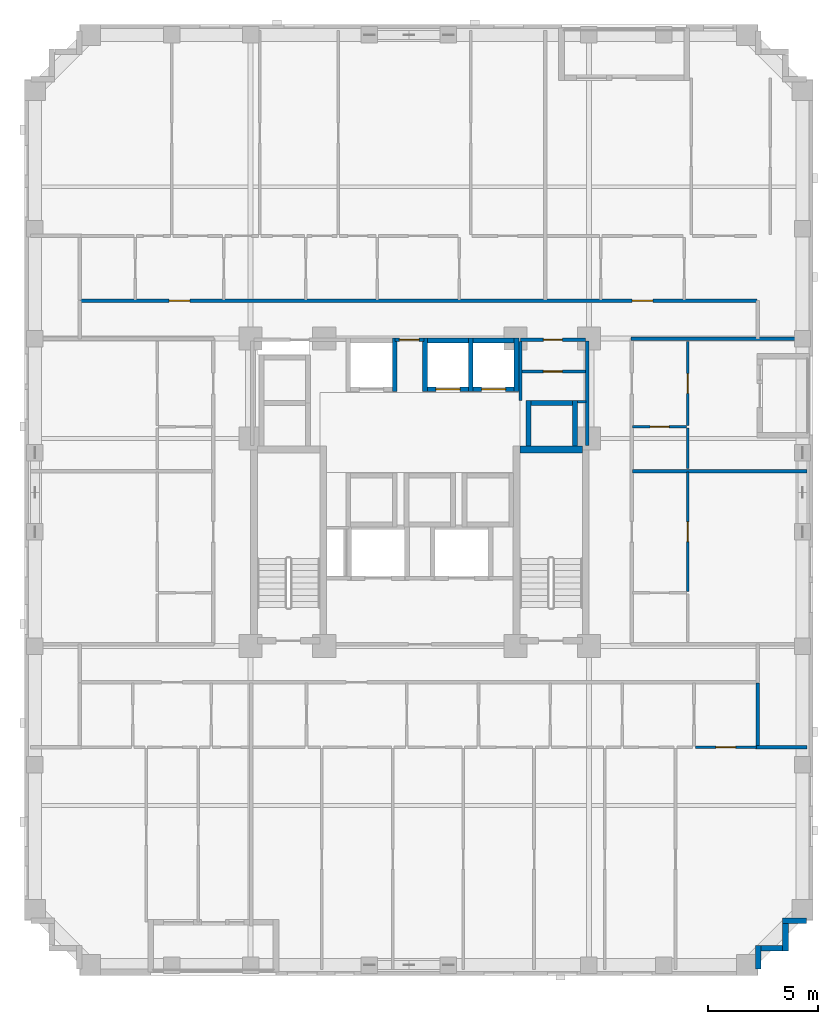
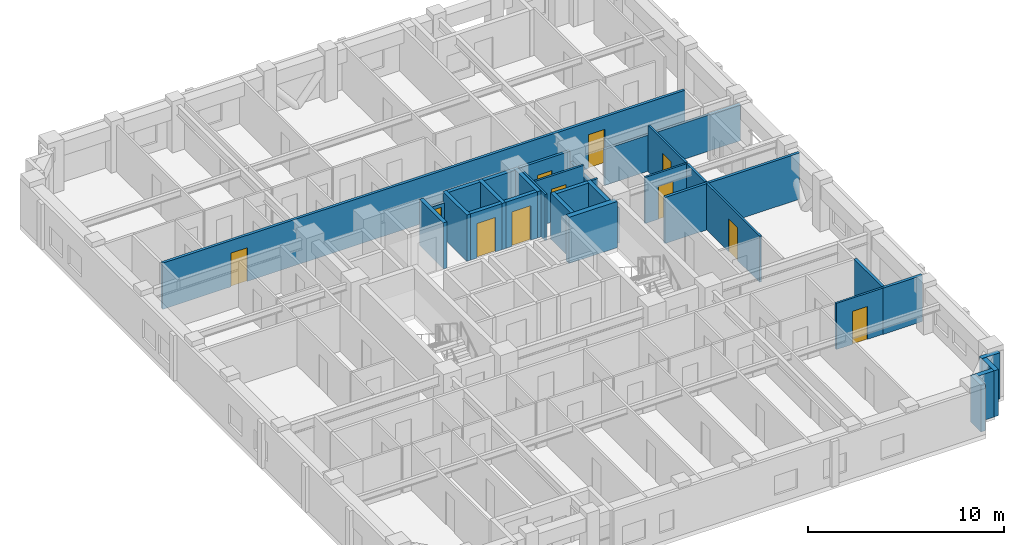
# One storey, part 6 of 12: 32 walls, 11 doors, 11 openings.
"""IFC4 building model written with IfcOpenShell, lengths in metres."""

from ifc_helpers import new_model, si_unit, derived_unit, direction, frame, frame_2d, origin, place, context, subcontext, project, spatial, rectangle, extrude, material, layer, layer_set, type_object, element, fill, save


model = new_model("IFC4")

# Units and contexts
model_context = context("Model", 3, precision=1e-05, world=origin(), true_north=direction((0.0, 1.0)))
body_context = subcontext(model_context, "Body", "Model", "MODEL_VIEW")
ifc_project = project(units=[si_unit("LENGTHUNIT", "METRE"), si_unit("AREAUNIT", "SQUARE_METRE"), si_unit("VOLUMEUNIT", "CUBIC_METRE"), si_unit("PLANEANGLEUNIT", "RADIAN"), si_unit("MASSUNIT", "GRAM", prefix="KILO"), derived_unit("THERMALTRANSMITTANCEUNIT", [(si_unit("MASSUNIT", "GRAM", prefix="KILO"), 1), (si_unit("TIMEUNIT", "SECOND"), -3), (si_unit("THERMODYNAMICTEMPERATUREUNIT", "KELVIN"), -1)])], contexts=[model_context])

# Site, building, storey
site_placement = place(None, origin())
site = spatial("IfcSite", under=ifc_project, at=site_placement, CompositionType="ELEMENT")
building_placement = place(site_placement, origin())
building = spatial("IfcBuilding", under=site, at=building_placement, Name="Korrvale Station Residences", CompositionType="ELEMENT")
storey_placement = place(building_placement, frame((0.0, 0.0, 116.699951171875)))
storey = spatial("IfcBuildingStorey", under=building, at=storey_placement, Name="L33", CompositionType="ELEMENT", Elevation=116.699951171875)

# Walls
ifc_material_1 = material(Name="Concrete C60/75", Category="concrete")
ifc_layer_1 = layer(ifc_material_1, 0.300048828125, Name="Concrete C60/75")
ifc_layer_set_1 = layer_set([ifc_layer_1], Name="Concrete C60/75")
wall_type_1 = type_object("IfcWallType", Name="WAL-CORE-300-C60", PredefinedType="SHEAR", material=ifc_layer_set_1)
wall_1_placement = place(storey_placement, frame((30.050048828125, 23.949951171875, 0.0), z_axis=(0.0, 0.0, 1.0), x_axis=(1.0, 0.0, 0.0)))
element("IfcWall", 1, at=wall_1_placement, inside=storey, type_object=wall_type_1, Name="L33 ST-2 Core Shear Wall North", PredefinedType="SHEAR", context=body_context, shape_type="SweptSolid", body=[
    extrude(rectangle(XDim=2.849853515625, YDim=0.300048828125, at=frame_2d((1.4248046875, 0.0))), origin(), (0.0, 0.0, 1.0), 2.880126953125),
])
ifc_material_2 = material(Name="Precast concrete C45/55", Category="concrete")
ifc_layer_2 = layer(ifc_material_2, 0.260009765625, Name="Precast concrete C45/55")
ifc_layer_set_2 = layer_set([ifc_layer_2], Name="Precast concrete C45/55")
wall_type_2 = type_object("IfcWallType", Name="WAL-EXT-LOG260", PredefinedType="SOLIDWALL", material=ifc_layer_set_2)
wall_2_placement = place(storey_placement, frame((43.097900390625, 2.5, 0.0), z_axis=(0.0, 0.0, 1.0), x_axis=(-1.0, 0.0, 0.0)))
element("IfcWall", 2, at=wall_2_placement, inside=storey, type_object=wall_type_2, Name="L33 Serrated Corner Precast Step SE-1", PredefinedType="SOLIDWALL", context=body_context, shape_type="SweptSolid", body=[
    extrude(rectangle(XDim=1.077880859375, YDim=0.260009765625, at=frame_2d((0.5390625, 0.0))), origin(), (0.0, 0.0, 1.0), 2.880126953125),
])
wall_3_placement = place(storey_placement, frame((42.14990234375, 2.367919921875, 0.0), z_axis=(0.0, 0.0, 1.0), x_axis=(0.0, -1.0, 0.0)))
element("IfcWall", 3, at=wall_3_placement, inside=storey, type_object=wall_type_2, Name="L33 Serrated Corner Precast Step SE-2", PredefinedType="SOLIDWALL", context=body_context, shape_type="SweptSolid", body=[
    extrude(rectangle(XDim=1.247802734375, YDim=0.260009765625, at=frame_2d((0.6240234375, 0.0))), origin(), (0.0, 0.0, 1.0), 2.880126953125),
])
wall_4_placement = place(storey_placement, frame((42.01806640625, 1.25, 0.0), z_axis=(0.0, 0.0, 1.0), x_axis=(-1.0, 0.0, 0.0)))
element("IfcWall", 4, at=wall_4_placement, inside=storey, type_object=wall_type_2, Name="L33 Serrated Corner Precast Step SE-3", PredefinedType="SOLIDWALL", context=body_context, shape_type="SweptSolid", body=[
    extrude(rectangle(XDim=0.986083984375, YDim=0.260009765625, at=frame_2d((0.4931640625, 0.0))), origin(), (0.0, 0.0, 1.0), 2.880126953125),
])
wall_5_placement = place(storey_placement, frame((40.89990234375, 1.3798828125, 0.0), z_axis=(0.0, 0.0, 1.0), x_axis=(0.0, -1.0, 0.0)))
element("IfcWall", 5, at=wall_5_placement, inside=storey, type_object=wall_type_2, Name="L33 Serrated Corner Precast Step SE-4", PredefinedType="SOLIDWALL", context=body_context, shape_type="SweptSolid", body=[
    extrude(rectangle(XDim=1.077880859375, YDim=0.260009765625, at=frame_2d((0.5390625, 0.0))), origin(), (0.0, 0.0, 1.0), 2.880126953125),
])
ifc_material_3 = material(Name="Acoustic steel-stud gypsum board partition", Category="steel")
ifc_layer_3 = layer(ifc_material_3, 0.1201171875, Name="Acoustic steel-stud gypsum board partition")
ifc_layer_set_3 = layer_set([ifc_layer_3], Name="Acoustic steel-stud gypsum board partition")
wall_type_3 = type_object("IfcWallType", Name="WAL-PART-125", PredefinedType="PARTITIONING", material=ifc_layer_set_3)
wall_6_placement = place(storey_placement, frame((30.080078125, 26.179931640625, 0.0), z_axis=(0.0, 0.0, 1.0), x_axis=(0.0, 1.0, 0.0)))
element("IfcWall", 6, at=wall_6_placement, inside=storey, type_object=wall_type_3, Name="L33 Core Partition CW-CS-W", PredefinedType="PARTITIONING", context=body_context, shape_type="SweptSolid", body=[
    extrude(rectangle(XDim=2.68017578125, YDim=0.1201171875, at=frame_2d((1.340087890625, 0.0))), origin(), (0.0, 0.0, 1.0), 2.880126953125),
])
wall_7_placement = place(storey_placement, frame((32.679931640625, 26.1201171875, 0.0), z_axis=(0.0, 0.0, 1.0), x_axis=(1.0, 0.0, 0.0)))
element("IfcWall", 7, at=wall_7_placement, inside=storey, type_object=wall_type_3, Name="L33 Core Partition CW-CS-S", PredefinedType="PARTITIONING", context=body_context, shape_type="SweptSolid", body=[
    extrude(rectangle(XDim=0.380126953125, YDim=0.1201171875, at=frame_2d((0.18994140625, 0.0))), origin(), (0.0, 0.0, 1.0), 2.880126953125),
])

# Wall, opening, door
wall_8_placement = place(storey_placement, frame((30.159912109375, 27.5, 0.0), z_axis=(0.0, 0.0, 1.0), x_axis=(1.0, 0.0, 0.0)))
wall_8 = element("IfcWall", 8, at=wall_8_placement, inside=storey, type_object=wall_type_3, Name="L33 Core Partition CW-CS-H", PredefinedType="PARTITIONING", context=body_context, shape_type="SweptSolid", body=[
    extrude(rectangle(XDim=2.880126953125, YDim=0.1201171875, at=frame_2d((1.43994140625, 0.0))), origin(), (0.0, 0.0, 1.0), 2.880126953125),
])
opening_1_placement = place(wall_8_placement, frame((0.969970703125, 0.0, 0.0)))
opening_1 = element("IfcOpeningElement", 9, at=opening_1_placement, cuts=wall_8, Name="Opening DB-860", PredefinedType="OPENING", context=body_context, shape_type="SweptSolid", body=[
    extrude(rectangle(XDim=0.860107421875, YDim=2.050048828125, at=frame_2d((0.43017578125, 1.02490234375))), frame((0.0, 0.070068359375, 0.0), z_axis=(0.0, -1.0, 0.0), x_axis=(1.0, 0.0, 0.0)), (0.0, 0.0, 1.0), 0.14013671875),
])
ifc_material_4 = material(Name="Moisture-resistant solid-core bathroom door", Category="timber")
door_type_1 = type_object("IfcDoorType", Name="DR-BATH-860", OperationType="NOTDEFINED", PredefinedType="DOOR", material=ifc_material_4)
door_1_placement = place(opening_1_placement, origin())
door_1 = element("IfcDoor", 10, at=door_1_placement, inside=storey, type_object=door_type_1, Name="L33 Mail Sorting Inner Door", OperationType="SINGLE_SWING_RIGHT", OverallHeight=2.050048828125, OverallWidth=0.860107421875, PredefinedType="DOOR", context=body_context, shape_type="SweptSolid", body=[
    extrude(rectangle(XDim=0.860107421875, YDim=2.050048828125, at=frame_2d((0.43017578125, 1.02490234375))), frame((0.0, 0.02490234375, 0.0), z_axis=(0.0, -1.0, 0.0), x_axis=(1.0, 0.0, 0.0)), (0.0, 0.0, 1.0), 0.050048828125),
])
fill(opening_1, door_1)

wall_9_placement = place(storey_placement, frame((38.0400390625, 10.39990234375, 0.0), z_axis=(0.0, 0.0, 1.0), x_axis=(1.0, 0.0, 0.0)))
wall_9 = element("IfcWall", 11, at=wall_9_placement, inside=storey, type_object=wall_type_3, Name="L33 Suite Partition U02-H613", PredefinedType="PARTITIONING", context=body_context, shape_type="SweptSolid", body=[
    extrude(rectangle(XDim=2.780029296875, YDim=0.1201171875, at=frame_2d((1.39013671875, 0.0))), origin(), (0.0, 0.0, 1.0), 2.880126953125),
])
opening_2_placement = place(wall_9_placement, frame((0.93994140625, 0.0, 0.0)))
opening_2 = element("IfcOpeningElement", 12, at=opening_2_placement, cuts=wall_9, Name="Opening DI-900", PredefinedType="OPENING", context=body_context, shape_type="SweptSolid", body=[
    extrude(rectangle(XDim=0.89990234375, YDim=2.050048828125, at=frame_2d((0.449951171875, 1.02490234375))), frame((0.0, 0.070068359375, 0.0), z_axis=(0.0, -1.0, 0.0), x_axis=(1.0, 0.0, 0.0)), (0.0, 0.0, 1.0), 0.14013671875),
])
ifc_material_5 = material(Name="Painted solid-core timber interior room door", Category="wood")
door_type_2 = type_object("IfcDoorType", Name="DR-INT-900", OperationType="NOTDEFINED", PredefinedType="DOOR", material=ifc_material_5)
door_2_placement = place(opening_2_placement, origin())
door_2 = element("IfcDoor", 13, at=door_2_placement, inside=storey, type_object=door_type_2, Name="L33 Studio Apartment L33-U02 Utility and Laundry Room Door", OperationType="SINGLE_SWING_LEFT", OverallHeight=2.050048828125, OverallWidth=0.89990234375, PredefinedType="DOOR", context=body_context, shape_type="SweptSolid", body=[
    extrude(rectangle(XDim=0.89990234375, YDim=2.050048828125, at=frame_2d((0.449951171875, 1.02490234375))), frame((0.0, 0.02490234375, 0.0), z_axis=(0.0, -1.0, 0.0), x_axis=(1.0, 0.0, 0.0)), (0.0, 0.0, 1.0), 0.050048828125),
])
fill(opening_2, door_2)

wall_10_placement = place(storey_placement, frame((37.699951171875, 17.489013671875, 0.0), z_axis=(0.0, 0.0, 1.0), x_axis=(0.0, 1.0, 0.0)))
wall_10 = element("IfcWall", 14, at=wall_10_placement, inside=storey, type_object=wall_type_3, Name="L33 Suite Partition U07-V12", PredefinedType="PARTITIONING", context=body_context, shape_type="SweptSolid", body=[
    extrude(rectangle(XDim=5.43310546875, YDim=0.1201171875, at=frame_2d((2.716552734375, 0.0))), origin(), (0.0, 0.0, 1.0), 2.880126953125),
])
opening_3_placement = place(wall_10_placement, frame((2.26611328125, 0.0, 0.0)))
opening_3 = element("IfcOpeningElement", 15, at=opening_3_placement, cuts=wall_10, Name="Opening DI-900", PredefinedType="OPENING", context=body_context, shape_type="SweptSolid", body=[
    extrude(rectangle(XDim=0.89990234375, YDim=2.050048828125, at=frame_2d((0.449951171875, 1.02490234375))), frame((0.0, 0.070068359375, 0.0), z_axis=(0.0, -1.0, 0.0), x_axis=(1.0, 0.0, 0.0)), (0.0, 0.0, 1.0), 0.14013671875),
])
door_3_placement = place(opening_3_placement, origin())
door_3 = element("IfcDoor", 16, at=door_3_placement, inside=storey, type_object=door_type_2, Name="L33 Studio Apartment L33-U07 Kitchen Door", OperationType="SINGLE_SWING_RIGHT", OverallHeight=2.050048828125, OverallWidth=0.89990234375, PredefinedType="DOOR", context=body_context, shape_type="SweptSolid", body=[
    extrude(rectangle(XDim=0.89990234375, YDim=2.050048828125, at=frame_2d((0.449951171875, 1.02490234375))), frame((0.0, 0.02490234375, 0.0), z_axis=(0.0, -1.0, 0.0), x_axis=(1.0, 0.0, 0.0)), (0.0, 0.0, 1.0), 0.050048828125),
])
fill(opening_3, door_3)

wall_11_placement = place(storey_placement, frame((35.18994140625, 24.991943359375, 0.0), z_axis=(0.0, 0.0, 1.0), x_axis=(1.0, 0.0, 0.0)))
wall_11 = element("IfcWall", 17, at=wall_11_placement, inside=storey, type_object=wall_type_3, Name="L33 Suite Partition U08-H01", PredefinedType="PARTITIONING", context=body_context, shape_type="SweptSolid", body=[
    extrude(rectangle(XDim=2.449951171875, YDim=0.1201171875, at=frame_2d((1.22509765625, 0.0))), origin(), (0.0, 0.0, 1.0), 2.880126953125),
])
opening_4_placement = place(wall_11_placement, frame((0.794921875, 0.0, 0.0)))
opening_4 = element("IfcOpeningElement", 18, at=opening_4_placement, cuts=wall_11, Name="Opening DB-860", PredefinedType="OPENING", context=body_context, shape_type="SweptSolid", body=[
    extrude(rectangle(XDim=0.860107421875, YDim=2.050048828125, at=frame_2d((0.43017578125, 1.02490234375))), frame((0.0, 0.070068359375, 0.0), z_axis=(0.0, -1.0, 0.0), x_axis=(1.0, 0.0, 0.0)), (0.0, 0.0, 1.0), 0.14013671875),
])
door_4_placement = place(opening_4_placement, origin())
door_4 = element("IfcDoor", 19, at=door_4_placement, inside=storey, type_object=door_type_1, Name="L33 Studio Apartment L33-U08 Bathroom Door", OperationType="SINGLE_SWING_LEFT", OverallHeight=2.050048828125, OverallWidth=0.860107421875, PredefinedType="DOOR", context=body_context, shape_type="SweptSolid", body=[
    extrude(rectangle(XDim=0.860107421875, YDim=2.050048828125, at=frame_2d((0.43017578125, 1.02490234375))), frame((0.0, 0.02490234375, 0.0), z_axis=(0.0, -1.0, 0.0), x_axis=(1.0, 0.0, 0.0)), (0.0, 0.0, 1.0), 0.050048828125),
])
fill(opening_4, door_4)

# Wall
wall_12_placement = place(storey_placement, frame((37.699951171875, 23.08203125, 0.0), z_axis=(0.0, 0.0, 1.0), x_axis=(0.0, 1.0, 0.0)))
element("IfcWall", 20, at=wall_12_placement, inside=storey, type_object=wall_type_3, Name="L33 Suite Partition U08-V02", PredefinedType="PARTITIONING", context=body_context, shape_type="SweptSolid", body=[
    extrude(rectangle(XDim=1.849853515625, YDim=0.1201171875, at=frame_2d((0.9248046875, 0.0))), origin(), (0.0, 0.0, 1.0), 2.880126953125),
])

# Wall, opening, door
wall_13_placement = place(storey_placement, frame((37.699951171875, 25.052001953125, 0.0), z_axis=(0.0, 0.0, 1.0), x_axis=(0.0, 1.0, 0.0)))
wall_13 = element("IfcWall", 21, at=wall_13_placement, inside=storey, type_object=wall_type_3, Name="L33 Suite Partition U08-V12", PredefinedType="PARTITIONING", context=body_context, shape_type="SweptSolid", body=[
    extrude(rectangle(XDim=3.80810546875, YDim=0.1201171875, at=frame_2d((1.904052734375, 0.0))), origin(), (0.0, 0.0, 1.0), 2.880126953125),
])
opening_5_placement = place(wall_13_placement, frame((1.4541015625, 0.0, 0.0)))
opening_5 = element("IfcOpeningElement", 22, at=opening_5_placement, cuts=wall_13, Name="Opening DI-900", PredefinedType="OPENING", context=body_context, shape_type="SweptSolid", body=[
    extrude(rectangle(XDim=0.89990234375, YDim=2.050048828125, at=frame_2d((0.449951171875, 1.02490234375))), frame((0.0, 0.070068359375, 0.0), z_axis=(0.0, -1.0, 0.0), x_axis=(1.0, 0.0, 0.0)), (0.0, 0.0, 1.0), 0.14013671875),
])
door_5_placement = place(opening_5_placement, origin())
door_5 = element("IfcDoor", 23, at=door_5_placement, inside=storey, type_object=door_type_2, Name="L33 Studio Apartment L33-U08 Kitchen Door", OperationType="SINGLE_SWING_RIGHT", OverallHeight=2.050048828125, OverallWidth=0.89990234375, PredefinedType="DOOR", context=body_context, shape_type="SweptSolid", body=[
    extrude(rectangle(XDim=0.89990234375, YDim=2.050048828125, at=frame_2d((0.449951171875, 1.02490234375))), frame((0.0, 0.02490234375, 0.0), z_axis=(0.0, -1.0, 0.0), x_axis=(1.0, 0.0, 0.0)), (0.0, 0.0, 1.0), 0.050048828125),
])
fill(opening_5, door_5)

# Wall
ifc_material_6 = material(Name="Fire-rated twin-stud gypsum and mineral wool shaftwall assembly", Category="gypsum")
ifc_layer_4 = layer(ifc_material_6, 0.159912109375, Name="Fire-rated twin-stud gypsum and mineral wool shaftwall assembly")
ifc_layer_set_4 = layer_set([ifc_layer_4], Name="Fire-rated twin-stud gypsum and mineral wool shaftwall assembly")
wall_type_4 = type_object("IfcWallType", Name="WAL-PART-200", PredefinedType="PARTITIONING", material=ifc_layer_set_4)
wall_14_placement = place(storey_placement, frame((33.1201171875, 24.1201171875, 0.0), z_axis=(0.0, 0.0, 1.0), x_axis=(0.0, 1.0, 0.0)))
element("IfcWall", 24, at=wall_14_placement, inside=storey, type_object=wall_type_4, Name="L33 Core Partition CW-E-N", PredefinedType="PARTITIONING", context=body_context, shape_type="SweptSolid", body=[
    extrude(rectangle(XDim=4.759765625, YDim=0.159912109375, at=frame_2d((2.3798828125, 0.0))), origin(), (0.0, 0.0, 1.0), 2.215087890625),
])

# Wall, opening, door
wall_15_placement = place(storey_placement, frame((24.360107421875, 28.949951171875, 0.0), z_axis=(0.0, 0.0, 1.0), x_axis=(1.0, 0.0, 0.0)))
wall_15 = element("IfcWall", 25, at=wall_15_placement, inside=storey, type_object=wall_type_4, Name="L33 Core Partition CW-LLOB-N", PredefinedType="PARTITIONING", context=body_context, shape_type="SweptSolid", body=[
    extrude(rectangle(XDim=1.31982421875, YDim=0.159912109375, at=frame_2d((0.659912109375, 0.0))), origin(), (0.0, 0.0, 1.0), 2.2529296875),
])
opening_6_placement = place(wall_15_placement, frame((0.2099609375, 0.0, 0.0)))
opening_6 = element("IfcOpeningElement", 26, at=opening_6_placement, cuts=wall_15, Name="Opening DI-900", PredefinedType="OPENING", context=body_context, shape_type="SweptSolid", body=[
    extrude(rectangle(XDim=0.89990234375, YDim=2.050048828125, at=frame_2d((0.449951171875, 1.02490234375))), frame((0.0, 0.08984375, 0.0), z_axis=(0.0, -1.0, 0.0), x_axis=(1.0, 0.0, 0.0)), (0.0, 0.0, 1.0), 0.179931640625),
])
door_6_placement = place(opening_6_placement, origin())
door_6 = element("IfcDoor", 27, at=door_6_placement, inside=storey, type_object=door_type_2, Name="L33 Central Hallway North Passage Door", OperationType="SINGLE_SWING_RIGHT", OverallHeight=2.050048828125, OverallWidth=0.89990234375, PredefinedType="DOOR", context=body_context, shape_type="SweptSolid", body=[
    extrude(rectangle(XDim=0.89990234375, YDim=2.050048828125, at=frame_2d((0.449951171875, 1.02490234375))), frame((0.0, 0.02490234375, 0.0), z_axis=(0.0, -1.0, 0.0), x_axis=(1.0, 0.0, 0.0)), (0.0, 0.0, 1.0), 0.050048828125),
])
fill(opening_6, door_6)

wall_16_placement = place(storey_placement, frame((30.080078125, 28.949951171875, 0.0), z_axis=(0.0, 0.0, 1.0), x_axis=(1.0, 0.0, 0.0)))
wall_16 = element("IfcWall", 28, at=wall_16_placement, inside=storey, type_object=wall_type_4, Name="L33 Core Partition CW-CS-N", PredefinedType="PARTITIONING", context=body_context, shape_type="SweptSolid", body=[
    extrude(rectangle(XDim=2.9599609375, YDim=0.159912109375, at=frame_2d((1.47998046875, 0.0))), origin(), (0.0, 0.0, 1.0), 2.880126953125),
])
opening_7_placement = place(wall_16_placement, frame((1.044921875, 0.0, 0.0)))
opening_7 = element("IfcOpeningElement", 29, at=opening_7_placement, cuts=wall_16, Name="Opening DB-860", PredefinedType="OPENING", context=body_context, shape_type="SweptSolid", body=[
    extrude(rectangle(XDim=0.860107421875, YDim=2.050048828125, at=frame_2d((0.43017578125, 1.02490234375))), frame((0.0, 0.08984375, 0.0), z_axis=(0.0, -1.0, 0.0), x_axis=(1.0, 0.0, 0.0)), (0.0, 0.0, 1.0), 0.179931640625),
])
door_7_placement = place(opening_7_placement, origin())
door_7 = element("IfcDoor", 30, at=door_7_placement, inside=storey, type_object=door_type_1, Name="L33 Housekeeping Pantry Door", OperationType="SINGLE_SWING_LEFT", OverallHeight=2.050048828125, OverallWidth=0.860107421875, PredefinedType="DOOR", context=body_context, shape_type="SweptSolid", body=[
    extrude(rectangle(XDim=0.860107421875, YDim=2.050048828125, at=frame_2d((0.43017578125, 1.02490234375))), frame((0.0, 0.02490234375, 0.0), z_axis=(0.0, -1.0, 0.0), x_axis=(1.0, 0.0, 0.0)), (0.0, 0.0, 1.0), 0.050048828125),
])
fill(opening_7, door_7)

# Walls
wall_17_placement = place(storey_placement, frame((35.110107421875, 28.97998046875, 0.0), z_axis=(0.0, 0.0, 1.0), x_axis=(1.0, 0.0, 0.0)))
element("IfcWall", 31, at=wall_17_placement, inside=storey, type_object=wall_type_4, Name="L33 East Wing North Corridor Wall", PredefinedType="PARTITIONING", context=body_context, shape_type="SweptSolid", body=[
    extrude(rectangle(XDim=8.010009765625, YDim=0.159912109375, at=frame_2d((4.0048828125, 0.0))), origin(), (0.0, 0.0, 1.0), 2.2529296875),
])
wall_18_placement = place(storey_placement, frame((40.780029296875, 10.39990234375, 0.0), z_axis=(0.0, 0.0, 1.0), x_axis=(1.0, 0.0, 0.0)))
element("IfcWall", 32, at=wall_18_placement, inside=storey, type_object=wall_type_4, Name="L33 Corner Step Wall U02-R", PredefinedType="PARTITIONING", context=body_context, shape_type="SweptSolid", body=[
    extrude(rectangle(XDim=2.340087890625, YDim=0.159912109375, at=frame_2d((1.169921875, 0.0))), origin(), (0.0, 0.0, 1.0), 2.880126953125),
])
wall_19_placement = place(storey_placement, frame((40.8798828125, 10.39990234375, 0.0), z_axis=(0.0, 0.0, 1.0), x_axis=(0.0, 1.0, 0.0)))
element("IfcWall", 33, at=wall_19_placement, inside=storey, type_object=wall_type_4, Name="L33 Corner Step Cheek U02-R", PredefinedType="PARTITIONING", context=body_context, shape_type="SweptSolid", body=[
    extrude(rectangle(XDim=2.91015625, YDim=0.159912109375, at=frame_2d((1.455078125, 0.0))), origin(), (0.0, 0.0, 1.0), 2.880126953125),
])
wall_20_placement = place(storey_placement, frame((35.18994140625, 22.9619140625, 0.0), z_axis=(0.0, 0.0, 1.0), x_axis=(1.0, 0.0, 0.0)))
element("IfcWall", 34, at=wall_20_placement, inside=storey, type_object=wall_type_4, Name="L33 Demising Wall U07-N", PredefinedType="PARTITIONING", context=body_context, shape_type="SweptSolid", body=[
    extrude(rectangle(XDim=7.93017578125, YDim=0.159912109375, at=frame_2d((3.965087890625, 0.0))), origin(), (0.0, 0.0, 1.0), 2.880126953125),
])

# Wall, openings, doors
wall_21_placement = place(storey_placement, frame((10.050048828125, 30.719970703125, 0.0), z_axis=(0.0, 0.0, 1.0), x_axis=(1.0, 0.0, 0.0)))
wall_21 = element("IfcWall", 35, at=wall_21_placement, inside=storey, type_object=wall_type_4, Name="L33 Rated Corridor Wall N", PredefinedType="PARTITIONING", context=body_context, shape_type="SweptSolid", body=[
    extrude(rectangle(XDim=30.800048828125, YDim=0.159912109375, at=frame_2d((15.39990234375, 0.0))), origin(), (0.0, 0.0, 1.0), 2.880126953125),
])
opening_8_placement = place(wall_21_placement, frame((4.034912109375, 0.0, 0.0)))
opening_8 = element("IfcOpeningElement", 36, at=opening_8_placement, cuts=wall_21, Name="Opening UD-950", PredefinedType="OPENING", context=body_context, shape_type="SweptSolid", body=[
    extrude(rectangle(XDim=0.949951171875, YDim=2.10009765625, at=frame_2d((0.47509765625, 1.050048828125))), frame((0.0, 0.08984375, 0.0), z_axis=(0.0, -1.0, 0.0), x_axis=(1.0, 0.0, 0.0)), (0.0, 0.0, 1.0), 0.179931640625),
])
opening_9_placement = place(wall_21_placement, frame((25.110107421875, 0.0, 0.0)))
opening_9 = element("IfcOpeningElement", 37, at=opening_9_placement, cuts=wall_21, Name="Opening UD-950", PredefinedType="OPENING", context=body_context, shape_type="SweptSolid", body=[
    extrude(rectangle(XDim=0.949951171875, YDim=2.10009765625, at=frame_2d((0.47509765625, 1.050048828125))), frame((0.0, 0.08984375, 0.0), z_axis=(0.0, -1.0, 0.0), x_axis=(1.0, 0.0, 0.0)), (0.0, 0.0, 1.0), 0.179931640625),
])
ifc_material_7 = material(Name="Solid-core acoustic oak apartment entrance door", Category="timber")
door_type_3 = type_object("IfcDoorType", Name="DR-UNIT-950", OperationType="NOTDEFINED", PredefinedType="DOOR", material=ifc_material_7)
door_8_placement = place(opening_8_placement, origin())
door_8 = element("IfcDoor", 38, at=door_8_placement, inside=storey, type_object=door_type_3, Name="L33 Apartment L33-U03 Entrance Door", OperationType="SINGLE_SWING_LEFT", OverallHeight=2.10009765625, OverallWidth=0.949951171875, PredefinedType="DOOR", context=body_context, shape_type="SweptSolid", body=[
    extrude(rectangle(XDim=0.949951171875, YDim=2.10009765625, at=frame_2d((0.47509765625, 1.050048828125))), frame((0.0, 0.02490234375, 0.0), z_axis=(0.0, -1.0, 0.0), x_axis=(1.0, 0.0, 0.0)), (0.0, 0.0, 1.0), 0.050048828125),
])
fill(opening_8, door_8)
door_9_placement = place(opening_9_placement, origin())
door_9 = element("IfcDoor", 39, at=door_9_placement, inside=storey, type_object=door_type_3, Name="L33 Apartment L33-U04 Entrance Door", OperationType="SINGLE_SWING_RIGHT", OverallHeight=2.10009765625, OverallWidth=0.949951171875, PredefinedType="DOOR", context=body_context, shape_type="SweptSolid", body=[
    extrude(rectangle(XDim=0.949951171875, YDim=2.10009765625, at=frame_2d((0.47509765625, 1.050048828125))), frame((0.0, 0.02490234375, 0.0), z_axis=(0.0, -1.0, 0.0), x_axis=(1.0, 0.0, 0.0)), (0.0, 0.0, 1.0), 0.050048828125),
])
fill(opening_9, door_9)

# Wall
ifc_layer_5 = layer(ifc_material_1, 0.219970703125, Name="Concrete C60/75")
ifc_layer_set_5 = layer_set([ifc_layer_5], Name="Concrete C60/75")
wall_type_5 = type_object("IfcWallType", Name="WAL-SHAFT-220-C60", PredefinedType="SHEAR", material=ifc_layer_set_5)
wall_22_placement = place(storey_placement, frame((24.360107421875, 26.580078125, 0.0), z_axis=(0.0, 0.0, 1.0), x_axis=(0.0, 1.0, 0.0)))
element("IfcWall", 40, at=wall_22_placement, inside=storey, type_object=wall_type_5, Name="L33 Elevator PL-1 Hoistway Wall East", PredefinedType="SHEAR", context=body_context, shape_type="SweptSolid", body=[
    extrude(rectangle(XDim=2.43994140625, YDim=0.219970703125, at=frame_2d((1.219970703125, 0.0))), origin(), (0.0, 0.0, 1.0), 2.880126953125),
])

# Wall, opening, door
wall_23_placement = place(storey_placement, frame((25.85009765625, 26.68994140625, 0.0), z_axis=(0.0, 0.0, 1.0), x_axis=(1.0, 0.0, 0.0)))
wall_23 = element("IfcWall", 41, at=wall_23_placement, inside=storey, type_object=wall_type_5, Name="L33 Elevator PL-2 Hoistway Wall South", PredefinedType="SHEAR", context=body_context, shape_type="SweptSolid", body=[
    extrude(rectangle(XDim=1.85986328125, YDim=0.219970703125, at=frame_2d((0.929931640625, 0.0))), origin(), (0.0, 0.0, 1.0), 2.880126953125),
])
opening_10_placement = place(wall_23_placement, frame((0.3798828125, 0.0, 0.0)))
opening_10 = element("IfcOpeningElement", 42, at=opening_10_placement, cuts=wall_23, Name="Opening LD-1100", PredefinedType="OPENING", context=body_context, shape_type="SweptSolid", body=[
    extrude(rectangle(XDim=1.10009765625, YDim=2.14990234375, at=frame_2d((0.550048828125, 1.074951171875))), frame((0.0, 0.1201171875, 0.0), z_axis=(0.0, -1.0, 0.0), x_axis=(1.0, 0.0, 0.0)), (0.0, 0.0, 1.0), 0.239990234375),
])
ifc_material_8 = material(Name="Brushed stainless-steel elevator landing sliding door", Category="steel")
door_type_4 = type_object("IfcDoorType", Name="DR-LIFT-1100", OperationType="SLIDING_TO_LEFT", PredefinedType="DOOR", material=ifc_material_8)
door_10_placement = place(opening_10_placement, origin())
door_10 = element("IfcDoor", 43, at=door_10_placement, inside=storey, type_object=door_type_4, Name="L33 Elevator PL-2 Sliding Landing Door", OperationType="SLIDING_TO_LEFT", OverallHeight=2.14990234375, OverallWidth=1.10009765625, PredefinedType="DOOR", context=body_context, shape_type="SweptSolid", body=[
    extrude(rectangle(XDim=1.10009765625, YDim=2.14990234375, at=frame_2d((0.550048828125, 1.074951171875))), frame((0.0, 0.02490234375, 0.0), z_axis=(0.0, -1.0, 0.0), x_axis=(1.0, 0.0, 0.0)), (0.0, 0.0, 1.0), 0.050048828125),
])
fill(opening_10, door_10)

# Walls
wall_24_placement = place(storey_placement, frame((25.85009765625, 28.909912109375, 0.0), z_axis=(0.0, 0.0, 1.0), x_axis=(1.0, 0.0, 0.0)))
element("IfcWall", 44, at=wall_24_placement, inside=storey, type_object=wall_type_5, Name="L33 Elevator PL-2 Hoistway Wall North", PredefinedType="SHEAR", context=body_context, shape_type="SweptSolid", body=[
    extrude(rectangle(XDim=1.85986328125, YDim=0.219970703125, at=frame_2d((0.929931640625, 0.0))), origin(), (0.0, 0.0, 1.0), 2.880126953125),
])
for number, where, z_axis, x_axis, name in (
    (45, (25.739990234375, 26.580078125, 0.0), (0.0, 0.0, 1.0), (0.0, 1.0, 0.0), "L33 Elevator PL-2 Hoistway Wall West"),
    (46, (27.820068359375, 26.580078125, 0.0), (0.0, 0.0, 1.0), (0.0, 1.0, 0.0), "L33 Elevator PL-2 Hoistway Wall East"),
):
    element("IfcWall", number, at=place(storey_placement, frame(where, z_axis=z_axis, x_axis=x_axis)), inside=storey, type_object=wall_type_5, Name=name, PredefinedType="SHEAR", context=body_context, shape_type="SweptSolid", body=[
        extrude(rectangle(XDim=2.43994140625, YDim=0.219970703125, at=frame_2d((1.219970703125, 0.0))), origin(), (0.0, 0.0, 1.0), 2.880126953125),
    ])

# Wall, opening, door
wall_25_placement = place(storey_placement, frame((27.929931640625, 26.68994140625, 0.0), z_axis=(0.0, 0.0, 1.0), x_axis=(1.0, 0.0, 0.0)))
wall_25 = element("IfcWall", 47, at=wall_25_placement, inside=storey, type_object=wall_type_5, Name="L33 Elevator PL-3 Hoistway Wall South", PredefinedType="SHEAR", context=body_context, shape_type="SweptSolid", body=[
    extrude(rectangle(XDim=1.860107421875, YDim=0.219970703125, at=frame_2d((0.93017578125, 0.0))), origin(), (0.0, 0.0, 1.0), 2.880126953125),
])
opening_11_placement = place(wall_25_placement, frame((0.3798828125, 0.0, 0.0)))
opening_11 = element("IfcOpeningElement", 48, at=opening_11_placement, cuts=wall_25, Name="Opening LD-1100", PredefinedType="OPENING", context=body_context, shape_type="SweptSolid", body=[
    extrude(rectangle(XDim=1.10009765625, YDim=2.14990234375, at=frame_2d((0.550048828125, 1.074951171875))), frame((0.0, 0.1201171875, 0.0), z_axis=(0.0, -1.0, 0.0), x_axis=(1.0, 0.0, 0.0)), (0.0, 0.0, 1.0), 0.239990234375),
])
door_11_placement = place(opening_11_placement, origin())
door_11 = element("IfcDoor", 49, at=door_11_placement, inside=storey, type_object=door_type_4, Name="L33 Elevator PL-3 Sliding Landing Door", OperationType="SLIDING_TO_LEFT", OverallHeight=2.14990234375, OverallWidth=1.10009765625, PredefinedType="DOOR", context=body_context, shape_type="SweptSolid", body=[
    extrude(rectangle(XDim=1.10009765625, YDim=2.14990234375, at=frame_2d((0.550048828125, 1.074951171875))), frame((0.0, 0.02490234375, 0.0), z_axis=(0.0, -1.0, 0.0), x_axis=(1.0, 0.0, 0.0)), (0.0, 0.0, 1.0), 0.050048828125),
])
fill(opening_11, door_11)

# Walls
wall_26_placement = place(storey_placement, frame((27.929931640625, 28.909912109375, 0.0), z_axis=(0.0, 0.0, 1.0), x_axis=(1.0, 0.0, 0.0)))
element("IfcWall", 50, at=wall_26_placement, inside=storey, type_object=wall_type_5, Name="L33 Elevator PL-3 Hoistway Wall North", PredefinedType="SHEAR", context=body_context, shape_type="SweptSolid", body=[
    extrude(rectangle(XDim=1.860107421875, YDim=0.219970703125, at=frame_2d((0.93017578125, 0.0))), origin(), (0.0, 0.0, 1.0), 2.880126953125),
])
wall_27_placement = place(storey_placement, frame((29.89990234375, 26.580078125, 0.0), z_axis=(0.0, 0.0, 1.0), x_axis=(0.0, 1.0, 0.0)))
element("IfcWall", 51, at=wall_27_placement, inside=storey, type_object=wall_type_5, Name="L33 Elevator PL-3 Hoistway Wall East", PredefinedType="SHEAR", context=body_context, shape_type="SweptSolid", body=[
    extrude(rectangle(XDim=2.43994140625, YDim=0.219970703125, at=frame_2d((1.219970703125, 0.0))), origin(), (0.0, 0.0, 1.0), 2.880126953125),
])
wall_28_placement = place(storey_placement, frame((30.550048828125, 26.06005859375, 0.0), z_axis=(0.0, 0.0, 1.0), x_axis=(1.0, 0.0, 0.0)))
element("IfcWall", 52, at=wall_28_placement, inside=storey, type_object=wall_type_5, Name="L33 Elevator PH-3 Hoistway Wall North", PredefinedType="SHEAR", context=body_context, shape_type="SweptSolid", body=[
    extrude(rectangle(XDim=1.89990234375, YDim=0.219970703125, at=frame_2d((0.949951171875, 0.0))), origin(), (0.0, 0.0, 1.0), 2.880126953125),
])
for number, where, z_axis, x_axis, name in (
    (53, (30.43994140625, 24.10009765625, 0.0), (0.0, 0.0, 1.0), (0.0, 1.0, 0.0), "L33 Elevator PH-3 Hoistway Wall West"),
    (54, (32.56005859375, 24.10009765625, 0.0), (0.0, 0.0, 1.0), (0.0, 1.0, 0.0), "L33 Elevator PH-3 Hoistway Wall East"),
):
    element("IfcWall", number, at=place(storey_placement, frame(where, z_axis=z_axis, x_axis=x_axis)), inside=storey, type_object=wall_type_5, Name=name, PredefinedType="SHEAR", context=body_context, shape_type="SweptSolid", body=[
        extrude(rectangle(XDim=2.06982421875, YDim=0.219970703125, at=frame_2d((1.034912109375, 0.0))), origin(), (0.0, 0.0, 1.0), 2.880126953125),
    ])

save(model, "model.ifc")
